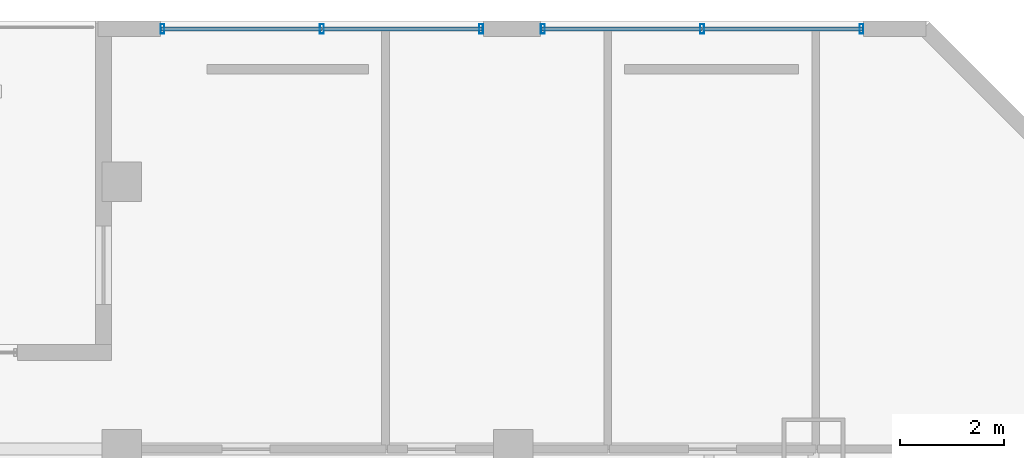
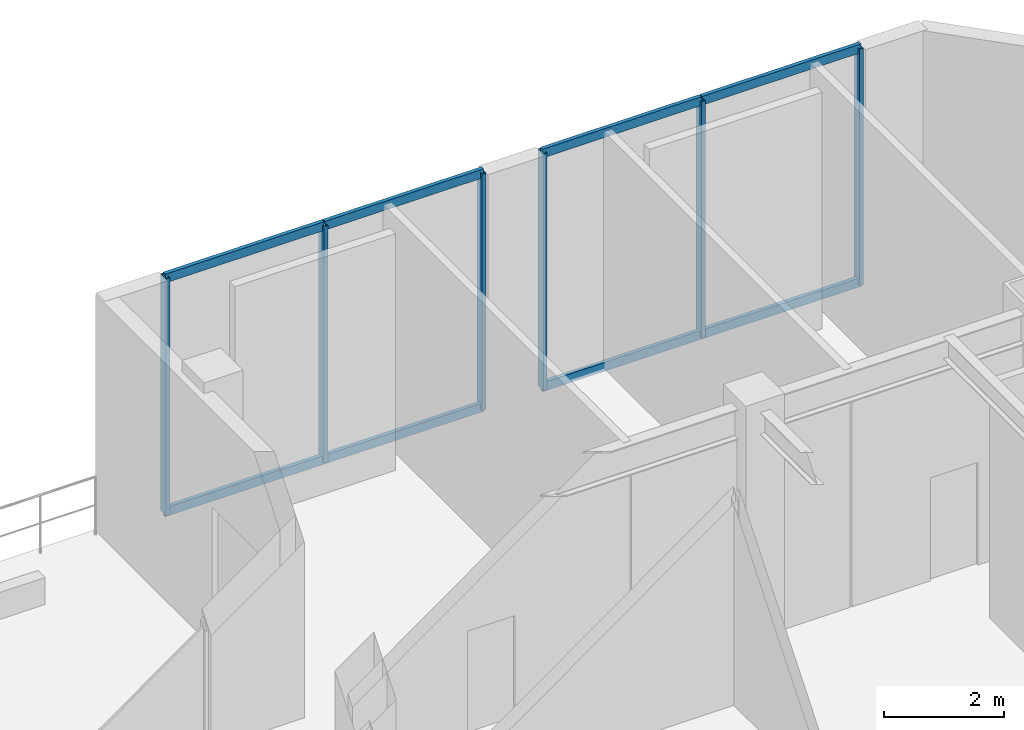
# One storey, part 4 of 11: 14 members, 2 elements without a shape of their own.
"""IFC4 building model written with IfcOpenShell, lengths in metres."""

from ifc_helpers import new_model, si_unit, direction, frame, origin, origin_2d, place, context, subcontext, project, spatial, hollow_rectangle, extrude, material, material_profile, profile_set, type_object, element, aggregate, save


model = new_model("IFC4")

# Units and contexts
model_context = context("Model", 3, precision=1e-05, world=origin(), true_north=direction((0.0, 1.0)))
body_context = subcontext(model_context, "Body", "Model", "MODEL_VIEW")
ifc_project = project(units=[si_unit("LENGTHUNIT", "METRE"), si_unit("AREAUNIT", "SQUARE_METRE"), si_unit("VOLUMEUNIT", "CUBIC_METRE"), si_unit("PLANEANGLEUNIT", "RADIAN"), si_unit("MASSUNIT", "GRAM", prefix="KILO")], contexts=[model_context])

# Site, building, storey
site_placement = place(None, origin())
site = spatial("IfcSite", under=ifc_project, at=site_placement, CompositionType="ELEMENT")
building_placement = place(site_placement, origin())
building = spatial("IfcBuilding", under=site, at=building_placement, Name="Ventersveld Concourse Tower", CompositionType="ELEMENT")
storey_placement = place(building_placement, frame((0.0, 0.0, 140.14990234375)))
storey = spatial("IfcBuildingStorey", under=building, at=storey_placement, Name="L34", CompositionType="ELEMENT", Elevation=140.14990234375)

# Curtain wall, members
ifc_material = material(Name="Anodised aluminium EN AW-6063-T6", Category="aluminium")
curtain_wall_type = type_object("IfcCurtainWallType", Name="CW-SLOB-3", PredefinedType="NOTDEFINED", material=ifc_material)
curtain_wall_1_placement = place(storey_placement, origin())
curtain_wall_1 = element("IfcCurtainWall", 1, at=curtain_wall_1_placement, inside=storey, type_object=curtain_wall_type, Name="L34 L34 Sky Lobby East Curtain Wall 1", PredefinedType="NOTDEFINED")
ifc_material_profile_1 = material_profile(ifc_material, hollow_rectangle(XDim=0.074951171875, YDim=0.179931640625, WallThickness=0.00390625, at=origin_2d()), Name="ALU 180x75x4")
ifc_profile_set_1 = profile_set([ifc_material_profile_1], Name="Anodised aluminium EN AW-6063-T6")
member_type_1 = type_object("IfcMemberType", Name="CWM-180x75", PredefinedType="MULLION", material=ifc_profile_set_1)
member_1_placement = place(storey_placement, frame((37.030029296875, 43.050048828125, 0.0), z_axis=(0.0, 0.0, 1.0), x_axis=(1.0, 0.0, 0.0)))
member_1 = element("IfcMember", 2, at=member_1_placement, type_object=member_type_1, Name="CW-L34-SL-E1 Mullion 01", PredefinedType="MULLION", context=body_context, shape_type="SweptSolid", body=[
    extrude(hollow_rectangle(XDim=0.074951171875, YDim=0.179931640625, WallThickness=0.00390625, at=origin_2d()), origin(), (0.0, 0.0, 1.0), 4.830078125),
])
member_2_placement = place(storey_placement, frame((40.08251953125, 43.050048828125, 0.0), z_axis=(0.0, 0.0, 1.0), x_axis=(1.0, 0.0, 0.0)))
member_2 = element("IfcMember", 3, at=member_2_placement, type_object=member_type_1, Name="CW-L34-SL-E1 Mullion 02", PredefinedType="MULLION", context=body_context, shape_type="SweptSolid", body=[
    extrude(hollow_rectangle(XDim=0.074951171875, YDim=0.179931640625, WallThickness=0.00390625, at=origin_2d()), origin(), (0.0, 0.0, 1.0), 4.830078125),
])
member_3_placement = place(storey_placement, frame((43.135009765625, 43.050048828125, 0.0), z_axis=(0.0, 0.0, 1.0), x_axis=(1.0, 0.0, 0.0)))
member_3 = element("IfcMember", 4, at=member_3_placement, type_object=member_type_1, Name="CW-L34-SL-E1 Mullion 03", PredefinedType="MULLION", context=body_context, shape_type="SweptSolid", body=[
    extrude(hollow_rectangle(XDim=0.074951171875, YDim=0.179931640625, WallThickness=0.00390625, at=origin_2d()), origin(), (0.0, 0.0, 1.0), 4.830078125),
])

curtain_wall_2_placement = place(storey_placement, origin())
curtain_wall_2 = element("IfcCurtainWall", 5, at=curtain_wall_2_placement, inside=storey, type_object=curtain_wall_type, Name="L34 L34 Sky Lobby East Curtain Wall 2", PredefinedType="NOTDEFINED")
member_4_placement = place(storey_placement, frame((44.31494140625, 43.050048828125, 0.0), z_axis=(0.0, 0.0, 1.0), x_axis=(1.0, 0.0, 0.0)))
member_4 = element("IfcMember", 6, at=member_4_placement, type_object=member_type_1, Name="CW-L34-SL-E2 Mullion 01", PredefinedType="MULLION", context=body_context, shape_type="SweptSolid", body=[
    extrude(hollow_rectangle(XDim=0.074951171875, YDim=0.179931640625, WallThickness=0.00390625, at=origin_2d()), origin(), (0.0, 0.0, 1.0), 4.830078125),
])
member_5_placement = place(storey_placement, frame((47.367431640625, 43.050048828125, 0.0), z_axis=(0.0, 0.0, 1.0), x_axis=(1.0, 0.0, 0.0)))
member_5 = element("IfcMember", 7, at=member_5_placement, type_object=member_type_1, Name="CW-L34-SL-E2 Mullion 02", PredefinedType="MULLION", context=body_context, shape_type="SweptSolid", body=[
    extrude(hollow_rectangle(XDim=0.074951171875, YDim=0.179931640625, WallThickness=0.00390625, at=origin_2d()), origin(), (0.0, 0.0, 1.0), 4.830078125),
])
member_6_placement = place(storey_placement, frame((50.419921875, 43.050048828125, 0.0), z_axis=(0.0, 0.0, 1.0), x_axis=(1.0, 0.0, 0.0)))
member_6 = element("IfcMember", 8, at=member_6_placement, type_object=member_type_1, Name="CW-L34-SL-E2 Mullion 03", PredefinedType="MULLION", context=body_context, shape_type="SweptSolid", body=[
    extrude(hollow_rectangle(XDim=0.074951171875, YDim=0.179931640625, WallThickness=0.00390625, at=origin_2d()), origin(), (0.0, 0.0, 1.0), 4.830078125),
])

# Member
ifc_material_profile_2 = material_profile(ifc_material, hollow_rectangle(XDim=0.074951171875, YDim=0.179931640625, WallThickness=0.00390625, at=origin_2d()), Name="ALU 180x75x4")
ifc_profile_set_2 = profile_set([ifc_material_profile_2], Name="Anodised aluminium EN AW-6063-T6")
member_type_2 = type_object("IfcMemberType", Name="CWT-180x75", PredefinedType="USERDEFINED", material=ifc_profile_set_2)
member_7_placement = place(storey_placement, frame((37.010009765625, 43.050048828125, 0.030029296875), z_axis=(1.0, 0.0, 0.0), x_axis=(0.0, 1.0, 0.0)))
member_7 = element("IfcMember", 9, at=member_7_placement, type_object=member_type_2, Name="CW-L34-SL-E1 Transom 1-01", ObjectType="TRANSOM", PredefinedType="USERDEFINED", context=body_context, shape_type="SweptSolid", body=[
    extrude(hollow_rectangle(XDim=0.074951171875, YDim=0.179931640625, WallThickness=0.00390625, at=origin_2d()), origin(), (0.0, 0.0, 1.0), 3.0625),
])

member_8_placement = place(storey_placement, frame((40.092529296875, 43.050048828125, 0.030029296875), z_axis=(1.0, 0.0, 0.0), x_axis=(0.0, 1.0, 0.0)))
member_8 = element("IfcMember", 10, at=member_8_placement, type_object=member_type_2, Name="CW-L34-SL-E1 Transom 1-02", ObjectType="TRANSOM", PredefinedType="USERDEFINED", context=body_context, shape_type="SweptSolid", body=[
    extrude(hollow_rectangle(XDim=0.074951171875, YDim=0.179931640625, WallThickness=0.00390625, at=origin_2d()), origin(), (0.0, 0.0, 1.0), 3.0625),
])

member_9_placement = place(storey_placement, frame((37.010009765625, 43.050048828125, 4.800048828125), z_axis=(1.0, 0.0, 0.0), x_axis=(0.0, 1.0, 0.0)))
member_9 = element("IfcMember", 11, at=member_9_placement, type_object=member_type_2, Name="CW-L34-SL-E1 Transom 2-01", ObjectType="TRANSOM", PredefinedType="USERDEFINED", context=body_context, shape_type="SweptSolid", body=[
    extrude(hollow_rectangle(XDim=0.074951171875, YDim=0.179931640625, WallThickness=0.00390625, at=origin_2d()), origin(), (0.0, 0.0, 1.0), 3.0625),
])

member_10_placement = place(storey_placement, frame((40.092529296875, 43.050048828125, 4.800048828125), z_axis=(1.0, 0.0, 0.0), x_axis=(0.0, 1.0, 0.0)))
member_10 = element("IfcMember", 12, at=member_10_placement, type_object=member_type_2, Name="CW-L34-SL-E1 Transom 2-02", ObjectType="TRANSOM", PredefinedType="USERDEFINED", context=body_context, shape_type="SweptSolid", body=[
    extrude(hollow_rectangle(XDim=0.074951171875, YDim=0.179931640625, WallThickness=0.00390625, at=origin_2d()), origin(), (0.0, 0.0, 1.0), 3.0625),
])

aggregate(curtain_wall_1, [member_1, member_2, member_3, member_7, member_8, member_9, member_10])

member_11_placement = place(storey_placement, frame((44.294921875, 43.050048828125, 0.030029296875), z_axis=(1.0, 0.0, 0.0), x_axis=(0.0, 1.0, 0.0)))
member_11 = element("IfcMember", 13, at=member_11_placement, type_object=member_type_2, Name="CW-L34-SL-E2 Transom 1-01", ObjectType="TRANSOM", PredefinedType="USERDEFINED", context=body_context, shape_type="SweptSolid", body=[
    extrude(hollow_rectangle(XDim=0.074951171875, YDim=0.179931640625, WallThickness=0.00390625, at=origin_2d()), origin(), (0.0, 0.0, 1.0), 3.0625),
])

member_12_placement = place(storey_placement, frame((47.37744140625, 43.050048828125, 0.030029296875), z_axis=(1.0, 0.0, 0.0), x_axis=(0.0, 1.0, 0.0)))
member_12 = element("IfcMember", 14, at=member_12_placement, type_object=member_type_2, Name="CW-L34-SL-E2 Transom 1-02", ObjectType="TRANSOM", PredefinedType="USERDEFINED", context=body_context, shape_type="SweptSolid", body=[
    extrude(hollow_rectangle(XDim=0.074951171875, YDim=0.179931640625, WallThickness=0.00390625, at=origin_2d()), origin(), (0.0, 0.0, 1.0), 3.0625),
])

member_13_placement = place(storey_placement, frame((44.294921875, 43.050048828125, 4.800048828125), z_axis=(1.0, 0.0, 0.0), x_axis=(0.0, 1.0, 0.0)))
member_13 = element("IfcMember", 15, at=member_13_placement, type_object=member_type_2, Name="CW-L34-SL-E2 Transom 2-01", ObjectType="TRANSOM", PredefinedType="USERDEFINED", context=body_context, shape_type="SweptSolid", body=[
    extrude(hollow_rectangle(XDim=0.074951171875, YDim=0.179931640625, WallThickness=0.00390625, at=origin_2d()), origin(), (0.0, 0.0, 1.0), 3.0625),
])

member_14_placement = place(storey_placement, frame((47.37744140625, 43.050048828125, 4.800048828125), z_axis=(1.0, 0.0, 0.0), x_axis=(0.0, 1.0, 0.0)))
member_14 = element("IfcMember", 16, at=member_14_placement, type_object=member_type_2, Name="CW-L34-SL-E2 Transom 2-02", ObjectType="TRANSOM", PredefinedType="USERDEFINED", context=body_context, shape_type="SweptSolid", body=[
    extrude(hollow_rectangle(XDim=0.074951171875, YDim=0.179931640625, WallThickness=0.00390625, at=origin_2d()), origin(), (0.0, 0.0, 1.0), 3.0625),
])

aggregate(curtain_wall_2, [member_4, member_5, member_6, member_11, member_12, member_13, member_14])

save(model, "model.ifc")
